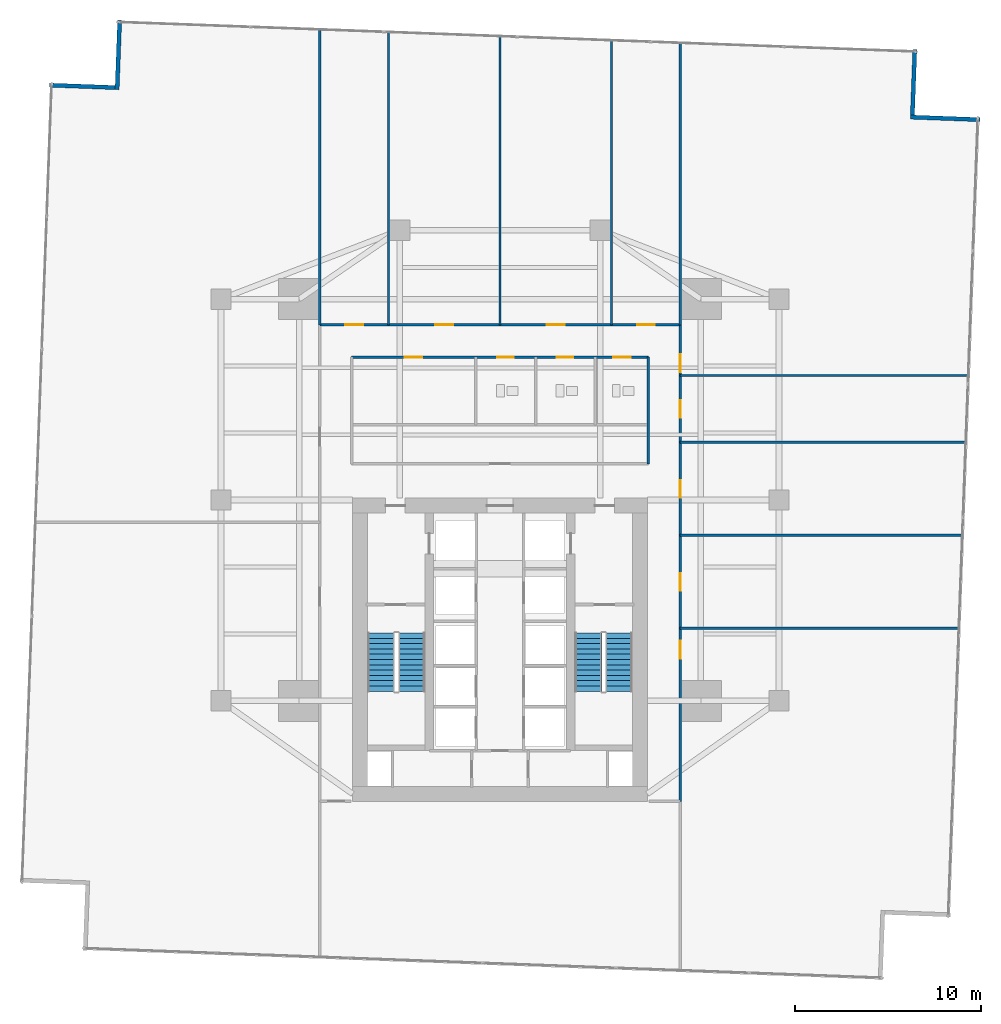
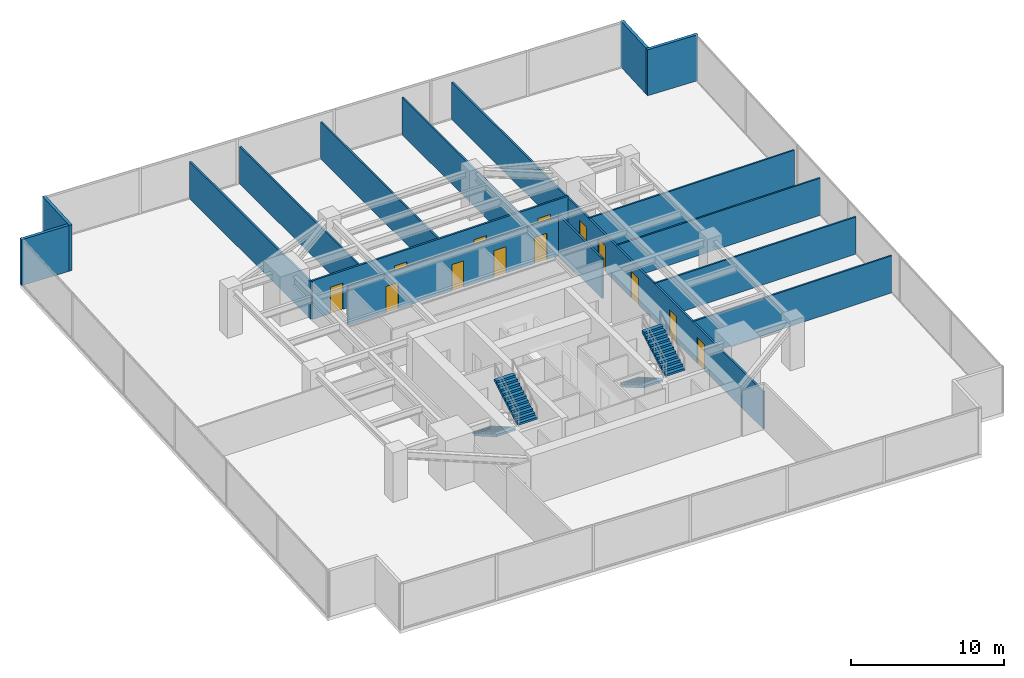
# One storey, part 28 of 30: 17 walls, 13 doors, 4 stair flights, 13 openings, 2 elements without a shape of their own.
"""IFC4 building model written with IfcOpenShell, lengths in metres."""

from ifc_helpers import new_model, si_unit, direction, frame, frame_2d, origin, place, context, subcontext, project, spatial, polyline, rectangle, outline, extrude, material, layer, layer_set, type_object, element, fill, aggregate, save


model = new_model("IFC4")

# Units and contexts
model_context = context("Model", 3, precision=1e-05, world=origin(), true_north=direction((0.0, 1.0)))
body_context = subcontext(model_context, "Body", "Model", "MODEL_VIEW")
ifc_project = project(units=[si_unit("LENGTHUNIT", "METRE"), si_unit("AREAUNIT", "SQUARE_METRE"), si_unit("VOLUMEUNIT", "CUBIC_METRE"), si_unit("PLANEANGLEUNIT", "RADIAN"), si_unit("MASSUNIT", "GRAM", prefix="KILO")], contexts=[model_context])

# Site, building, storey
site_placement = place(None, origin())
site = spatial("IfcSite", under=ifc_project, at=site_placement, CompositionType="ELEMENT")
building_placement = place(site_placement, origin())
building = spatial("IfcBuilding", under=site, at=building_placement, Name="Krantzveldt Concourse Tower", CompositionType="ELEMENT")
storey_placement = place(building_placement, frame((0.0, 0.0, 44.75)))
storey = spatial("IfcBuildingStorey", under=building, at=storey_placement, Name="L10", CompositionType="ELEMENT", Elevation=44.75)

# Walls
ifc_material_1 = material(Name="Anodised aluminium 6063-T6", Category="aluminium")
ifc_layer_1 = layer(ifc_material_1, 0.219970703125, Name="Anodised aluminium 6063-T6", Category="aluminium")
ifc_layer_set_1 = layer_set([ifc_layer_1], Name="Anodised aluminium 6063-T6 (WL-EXT-NOTCH220)")
wall_type_1 = type_object("IfcWallType", Name="WL-EXT-NOTCH220", PredefinedType="ELEMENTEDWALL", material=ifc_layer_set_1)
wall_1_placement = place(storey_placement, frame((15.307861328125, 48.87255859375, 0.0), z_axis=(0.0, 0.0, 1.0), x_axis=(-0.999313219865, 0.03705521019, 0.0)))
element("IfcWall", 1, at=wall_1_placement, inside=storey, type_object=wall_type_1, Name="EW-L10-NCH00", PredefinedType="ELEMENTEDWALL", context=body_context, shape_type="SweptSolid", body=[
    extrude(rectangle(XDim=3.52490234375, YDim=0.219970703125, at=frame_2d((1.762451171875, 0.0))), origin(), (0.0, 0.0, 1.0), 3.669921875),
])
wall_2_placement = place(storey_placement, frame((61.801025390625, 47.1474609375, 0.0), z_axis=(0.0, 0.0, 1.0), x_axis=(-0.999314208504, 0.037028538746, 0.0)))
element("IfcWall", 2, at=wall_2_placement, inside=storey, type_object=wall_type_1, Name="EW-L10-NCH08", PredefinedType="ELEMENTEDWALL", context=body_context, shape_type="SweptSolid", body=[
    extrude(rectangle(XDim=3.7451171875, YDim=0.219970703125, at=frame_2d((1.87255859375, 0.0))), origin(), (0.0, 0.0, 1.0), 3.669921875),
])
wall_3_placement = place(storey_placement, frame((58.172607421875, 47.39208984375, 0.0), z_axis=(0.0, 0.0, 1.0), x_axis=(0.03705521019, 0.999313219865, 0.0)))
element("IfcWall", 3, at=wall_3_placement, inside=storey, type_object=wall_type_1, Name="EW-L10-NCH09", PredefinedType="ELEMENTEDWALL", context=body_context, shape_type="SweptSolid", body=[
    extrude(rectangle(XDim=3.52490234375, YDim=0.219970703125, at=frame_2d((1.762451171875, 0.0))), origin(), (0.0, 0.0, 1.0), 3.669921875),
])
wall_4_placement = place(storey_placement, frame((15.552734375, 52.5009765625, 0.0), z_axis=(0.0, 0.0, 1.0), x_axis=(-0.037093640215, -0.999311794114, 0.0)))
element("IfcWall", 4, at=wall_4_placement, inside=storey, type_object=wall_type_1, Name="EW-L10-NCH11", PredefinedType="ELEMENTEDWALL", context=body_context, shape_type="SweptSolid", body=[
    extrude(rectangle(XDim=3.7451171875, YDim=0.219970703125, at=frame_2d((1.87255859375, 0.0))), origin(), (0.0, 0.0, 1.0), 3.669921875),
])
ifc_material_2 = material(Name="Fire-rated gypsum plasterboard on steel stud", Category="steel")
ifc_layer_2 = layer(ifc_material_2, 0.1201171875, Name="Fire-rated gypsum plasterboard on steel stud", Category="steel")
ifc_layer_set_2 = layer_set([ifc_layer_2], Name="Fire-rated gypsum plasterboard on steel stud (WL-PART-120)")
wall_type_2 = type_object("IfcWallType", Name="WL-PART-120", PredefinedType="PARTITIONING", material=ifc_layer_set_2)
wall_5_placement = place(storey_placement, frame((30.0, 36.1201171875, 0.0), z_axis=(0.0, 0.0, 1.0), x_axis=(0.0, 1.0, 0.0)))
element("IfcWall", 5, at=wall_5_placement, inside=storey, type_object=wall_type_2, Name="WP-L10-ND1", PredefinedType="PARTITIONING", context=body_context, shape_type="SweptSolid", body=[
    extrude(rectangle(XDim=15.729736328125, YDim=0.1201171875, at=frame_2d((7.86474609375, 0.0))), origin(), (0.0, 0.0, 1.0), 2.969970703125),
])
wall_6_placement = place(storey_placement, frame((36.0, 36.1201171875, 0.0), z_axis=(0.0, 0.0, 1.0), x_axis=(0.0, 1.0, 0.0)))
element("IfcWall", 6, at=wall_6_placement, inside=storey, type_object=wall_type_2, Name="WP-L10-ND2", PredefinedType="PARTITIONING", context=body_context, shape_type="SweptSolid", body=[
    extrude(rectangle(XDim=15.507080078125, YDim=0.1201171875, at=frame_2d((7.75341796875, 0.0))), origin(), (0.0, 0.0, 1.0), 2.969970703125),
])
wall_7_placement = place(storey_placement, frame((42.0, 36.1201171875, 0.0), z_axis=(0.0, 0.0, 1.0), x_axis=(0.0, 1.0, 0.0)))
element("IfcWall", 7, at=wall_7_placement, inside=storey, type_object=wall_type_2, Name="WP-L10-ND3", PredefinedType="PARTITIONING", context=body_context, shape_type="SweptSolid", body=[
    extrude(rectangle(XDim=15.284423828125, YDim=0.1201171875, at=frame_2d((7.64208984375, 0.0))), origin(), (0.0, 0.0, 1.0), 2.969970703125),
])
wall_8_placement = place(storey_placement, frame((45.679931640625, 19.800048828125, 0.0), z_axis=(0.0, 0.0, 1.0), x_axis=(1.0, 0.0, 0.0)))
element("IfcWall", 8, at=wall_8_placement, inside=storey, type_object=wall_type_2, Name="WP-L10-ED1", PredefinedType="PARTITIONING", context=body_context, shape_type="SweptSolid", body=[
    extrude(rectangle(XDim=14.9912109375, YDim=0.1201171875, at=frame_2d((7.49560546875, 0.0))), origin(), (0.0, 0.0, 1.0), 2.969970703125),
])
wall_9_placement = place(storey_placement, frame((45.679931640625, 24.800048828125, 0.0), z_axis=(0.0, 0.0, 1.0), x_axis=(1.0, 0.0, 0.0)))
element("IfcWall", 9, at=wall_9_placement, inside=storey, type_object=wall_type_2, Name="WP-L10-ED2", PredefinedType="PARTITIONING", context=body_context, shape_type="SweptSolid", body=[
    extrude(rectangle(XDim=15.1767578125, YDim=0.1201171875, at=frame_2d((7.58837890625, 0.0))), origin(), (0.0, 0.0, 1.0), 2.969970703125),
])
wall_10_placement = place(storey_placement, frame((45.679931640625, 29.800048828125, 0.0), z_axis=(0.0, 0.0, 1.0), x_axis=(1.0, 0.0, 0.0)))
element("IfcWall", 10, at=wall_10_placement, inside=storey, type_object=wall_type_2, Name="WP-L10-ED3", PredefinedType="PARTITIONING", context=body_context, shape_type="SweptSolid", body=[
    extrude(rectangle(XDim=15.3623046875, YDim=0.1201171875, at=frame_2d((7.68115234375, 0.0))), origin(), (0.0, 0.0, 1.0), 2.969970703125),
])
wall_11_placement = place(storey_placement, frame((45.679931640625, 33.39990234375, 0.0), z_axis=(0.0, 0.0, 1.0), x_axis=(1.0, 0.0, 0.0)))
element("IfcWall", 11, at=wall_11_placement, inside=storey, type_object=wall_type_2, Name="WP-L10-ED4", PredefinedType="PARTITIONING", context=body_context, shape_type="SweptSolid", body=[
    extrude(rectangle(XDim=15.495849609375, YDim=0.1201171875, at=frame_2d((7.748046875, 0.0))), origin(), (0.0, 0.0, 1.0), 2.969970703125),
])

# Wall, openings, doors
ifc_layer_3 = layer(ifc_material_2, 0.139892578125, Name="Fire-rated gypsum plasterboard on steel stud", Category="steel")
ifc_layer_set_3 = layer_set([ifc_layer_3], Name="Fire-rated gypsum plasterboard on steel stud (WL-PART-140)")
wall_type_3 = type_object("IfcWallType", Name="WL-PART-140", PredefinedType="PARTITIONING", material=ifc_layer_set_3)
wall_12_placement = place(storey_placement, frame((28.02001953125, 34.3798828125, 0.0), z_axis=(0.0, 0.0, 1.0), x_axis=(1.0, 0.0, 0.0)))
wall_12 = element("IfcWall", 12, at=wall_12_placement, inside=storey, type_object=wall_type_3, Name="WP-L10-ISLN", PredefinedType="PARTITIONING", context=body_context, shape_type="SweptSolid", body=[
    extrude(rectangle(XDim=15.9599609375, YDim=0.139892578125, at=frame_2d((7.97998046875, 0.0))), origin(), (0.0, 0.0, 1.0), 3.080078125),
])
opening_1_placement = place(wall_12_placement, frame((7.830078125, 0.0, 0.0)))
opening_1 = element("IfcOpeningElement", 13, at=opening_1_placement, cuts=wall_12, Name="Opening D-IN090", PredefinedType="OPENING", context=body_context, shape_type="SweptSolid", body=[
    extrude(rectangle(XDim=0.89990234375, YDim=2.10009765625, at=frame_2d((0.449951171875, 1.050048828125))), frame((0.0, 0.080078125, 0.0), z_axis=(0.0, -1.0, 0.0), x_axis=(1.0, 0.0, 0.0)), (0.0, 0.0, 1.0), 0.159912109375),
])
opening_2_placement = place(wall_12_placement, frame((11.030029296875, 0.0, 0.0)))
opening_2 = element("IfcOpeningElement", 14, at=opening_2_placement, cuts=wall_12, Name="Opening D-IN090", PredefinedType="OPENING", context=body_context, shape_type="SweptSolid", body=[
    extrude(rectangle(XDim=0.89990234375, YDim=2.10009765625, at=frame_2d((0.449951171875, 1.050048828125))), frame((0.0, 0.080078125, 0.0), z_axis=(0.0, -1.0, 0.0), x_axis=(1.0, 0.0, 0.0)), (0.0, 0.0, 1.0), 0.159912109375),
])
opening_3_placement = place(wall_12_placement, frame((14.054931640625, 0.0, 0.0)))
opening_3 = element("IfcOpeningElement", 15, at=opening_3_placement, cuts=wall_12, Name="Opening D-IN095", PredefinedType="OPENING", context=body_context, shape_type="SweptSolid", body=[
    extrude(rectangle(XDim=0.949951171875, YDim=2.10009765625, at=frame_2d((0.47509765625, 1.050048828125))), frame((0.0, 0.080078125, 0.0), z_axis=(0.0, -1.0, 0.0), x_axis=(1.0, 0.0, 0.0)), (0.0, 0.0, 1.0), 0.159912109375),
])
opening_4_placement = place(wall_12_placement, frame((2.85498046875, 0.0, 0.0)))
opening_4 = element("IfcOpeningElement", 16, at=opening_4_placement, cuts=wall_12, Name="Opening D-IN095", PredefinedType="OPENING", context=body_context, shape_type="SweptSolid", body=[
    extrude(rectangle(XDim=0.949951171875, YDim=2.10009765625, at=frame_2d((0.47509765625, 1.050048828125))), frame((0.0, 0.080078125, 0.0), z_axis=(0.0, -1.0, 0.0), x_axis=(1.0, 0.0, 0.0)), (0.0, 0.0, 1.0), 0.159912109375),
])
ifc_material_3 = material(Name="Hardwood timber", Category="wood")
door_type_1 = type_object("IfcDoorType", Name="DR-INT-900", OperationType="SINGLE_SWING_LEFT", PredefinedType="DOOR", material=ifc_material_3)
door_1_placement = place(opening_1_placement, origin())
door_1 = element("IfcDoor", 17, at=door_1_placement, inside=storey, type_object=door_type_1, Name="DR-L10-WCM", OperationType="SINGLE_SWING_LEFT", OverallHeight=2.10009765625, OverallWidth=0.89990234375, PredefinedType="DOOR", context=body_context, shape_type="SweptSolid", body=[
    extrude(rectangle(XDim=0.89990234375, YDim=2.10009765625, at=frame_2d((0.449951171875, 1.050048828125))), frame((0.0, 0.02490234375, 0.0), z_axis=(0.0, -1.0, 0.0), x_axis=(1.0, 0.0, 0.0)), (0.0, 0.0, 1.0), 0.050048828125),
])
fill(opening_1, door_1)
door_2_placement = place(opening_2_placement, origin())
door_2 = element("IfcDoor", 18, at=door_2_placement, inside=storey, type_object=door_type_1, Name="DR-L10-WCF", OperationType="SINGLE_SWING_RIGHT", OverallHeight=2.10009765625, OverallWidth=0.89990234375, PredefinedType="DOOR", context=body_context, shape_type="SweptSolid", body=[
    extrude(rectangle(XDim=0.89990234375, YDim=2.10009765625, at=frame_2d((0.449951171875, 1.050048828125))), frame((0.0, 0.02490234375, 0.0), z_axis=(0.0, -1.0, 0.0), x_axis=(1.0, 0.0, 0.0)), (0.0, 0.0, 1.0), 0.050048828125),
])
fill(opening_2, door_2)
door_type_2 = type_object("IfcDoorType", Name="DR-INT-950", OperationType="SINGLE_SWING_LEFT", PredefinedType="DOOR", material=ifc_material_3)
door_3_placement = place(opening_3_placement, origin())
door_3 = element("IfcDoor", 19, at=door_3_placement, inside=storey, type_object=door_type_2, Name="DR-L10-WCA", OperationType="SINGLE_SWING_LEFT", OverallHeight=2.10009765625, OverallWidth=0.949951171875, PredefinedType="DOOR", context=body_context, shape_type="SweptSolid", body=[
    extrude(rectangle(XDim=0.949951171875, YDim=2.10009765625, at=frame_2d((0.47509765625, 1.050048828125))), frame((0.0, 0.02490234375, 0.0), z_axis=(0.0, -1.0, 0.0), x_axis=(1.0, 0.0, 0.0)), (0.0, 0.0, 1.0), 0.050048828125),
])
fill(opening_3, door_3)
door_4_placement = place(opening_4_placement, origin())
door_4 = element("IfcDoor", 20, at=door_4_placement, inside=storey, type_object=door_type_2, Name="DR-L10-PNT", OperationType="SINGLE_SWING_RIGHT", OverallHeight=2.10009765625, OverallWidth=0.949951171875, PredefinedType="DOOR", context=body_context, shape_type="SweptSolid", body=[
    extrude(rectangle(XDim=0.949951171875, YDim=2.10009765625, at=frame_2d((0.47509765625, 1.050048828125))), frame((0.0, 0.02490234375, 0.0), z_axis=(0.0, -1.0, 0.0), x_axis=(1.0, 0.0, 0.0)), (0.0, 0.0, 1.0), 0.050048828125),
])
fill(opening_4, door_4)

# Wall
wall_13_placement = place(storey_placement, frame((43.97998046875, 28.639892578125, 0.0), z_axis=(0.0, 0.0, 1.0), x_axis=(0.0, 1.0, 0.0)))
element("IfcWall", 21, at=wall_13_placement, inside=storey, type_object=wall_type_3, Name="WP-L10-ISLE", PredefinedType="PARTITIONING", context=body_context, shape_type="SweptSolid", body=[
    extrude(rectangle(XDim=5.739990234375, YDim=0.139892578125, at=frame_2d((2.8701171875, 0.0))), origin(), (0.0, 0.0, 1.0), 3.219970703125),
])

# Wall, openings, doors
wall_14_placement = place(storey_placement, frame((26.320068359375, 36.1201171875, 0.0), z_axis=(0.0, 0.0, 1.0), x_axis=(1.0, 0.0, 0.0)))
wall_14 = element("IfcWall", 22, at=wall_14_placement, inside=storey, type_object=wall_type_3, Name="WP-L10-CTOP", PredefinedType="PARTITIONING", context=body_context, shape_type="SweptSolid", body=[
    extrude(rectangle(XDim=19.35986328125, YDim=0.139892578125, at=frame_2d((9.679931640625, 0.0))), origin(), (0.0, 0.0, 1.0), 3.080078125),
])
opening_5_placement = place(wall_14_placement, frame((1.364990234375, 0.0, 0.0)))
opening_5 = element("IfcOpeningElement", 23, at=opening_5_placement, cuts=wall_14, Name="Opening D-IN095", PredefinedType="OPENING", context=body_context, shape_type="SweptSolid", body=[
    extrude(rectangle(XDim=0.949951171875, YDim=2.10009765625, at=frame_2d((0.47509765625, 1.050048828125))), frame((0.0, 0.080078125, 0.0), z_axis=(0.0, -1.0, 0.0), x_axis=(1.0, 0.0, 0.0)), (0.0, 0.0, 1.0), 0.159912109375),
])
opening_6_placement = place(wall_14_placement, frame((6.205078125, 0.0, 0.0)))
opening_6 = element("IfcOpeningElement", 24, at=opening_6_placement, cuts=wall_14, Name="Opening D-IN095", PredefinedType="OPENING", context=body_context, shape_type="SweptSolid", body=[
    extrude(rectangle(XDim=0.949951171875, YDim=2.10009765625, at=frame_2d((0.47509765625, 1.050048828125))), frame((0.0, 0.080078125, 0.0), z_axis=(0.0, -1.0, 0.0), x_axis=(1.0, 0.0, 0.0)), (0.0, 0.0, 1.0), 0.159912109375),
])
opening_7_placement = place(wall_14_placement, frame((12.205078125, 0.0, 0.0)))
opening_7 = element("IfcOpeningElement", 25, at=opening_7_placement, cuts=wall_14, Name="Opening D-IN095", PredefinedType="OPENING", context=body_context, shape_type="SweptSolid", body=[
    extrude(rectangle(XDim=0.949951171875, YDim=2.10009765625, at=frame_2d((0.47509765625, 1.050048828125))), frame((0.0, 0.080078125, 0.0), z_axis=(0.0, -1.0, 0.0), x_axis=(1.0, 0.0, 0.0)), (0.0, 0.0, 1.0), 0.159912109375),
])
opening_8_placement = place(wall_14_placement, frame((17.044921875, 0.0, 0.0)))
opening_8 = element("IfcOpeningElement", 26, at=opening_8_placement, cuts=wall_14, Name="Opening D-IN095", PredefinedType="OPENING", context=body_context, shape_type="SweptSolid", body=[
    extrude(rectangle(XDim=0.949951171875, YDim=2.10009765625, at=frame_2d((0.47509765625, 1.050048828125))), frame((0.0, 0.080078125, 0.0), z_axis=(0.0, -1.0, 0.0), x_axis=(1.0, 0.0, 0.0)), (0.0, 0.0, 1.0), 0.159912109375),
])
door_5_placement = place(opening_5_placement, origin())
door_5 = element("IfcDoor", 27, at=door_5_placement, inside=storey, type_object=door_type_2, Name="DR-L10-NR1", OperationType="SINGLE_SWING_LEFT", OverallHeight=2.10009765625, OverallWidth=0.949951171875, PredefinedType="DOOR", context=body_context, shape_type="SweptSolid", body=[
    extrude(rectangle(XDim=0.949951171875, YDim=2.10009765625, at=frame_2d((0.47509765625, 1.050048828125))), frame((0.0, 0.02490234375, 0.0), z_axis=(0.0, -1.0, 0.0), x_axis=(1.0, 0.0, 0.0)), (0.0, 0.0, 1.0), 0.050048828125),
])
fill(opening_5, door_5)
door_6_placement = place(opening_6_placement, origin())
door_6 = element("IfcDoor", 28, at=door_6_placement, inside=storey, type_object=door_type_2, Name="DR-L10-NR2", OperationType="SINGLE_SWING_LEFT", OverallHeight=2.10009765625, OverallWidth=0.949951171875, PredefinedType="DOOR", context=body_context, shape_type="SweptSolid", body=[
    extrude(rectangle(XDim=0.949951171875, YDim=2.10009765625, at=frame_2d((0.47509765625, 1.050048828125))), frame((0.0, 0.02490234375, 0.0), z_axis=(0.0, -1.0, 0.0), x_axis=(1.0, 0.0, 0.0)), (0.0, 0.0, 1.0), 0.050048828125),
])
fill(opening_6, door_6)
door_7_placement = place(opening_7_placement, origin())
door_7 = element("IfcDoor", 29, at=door_7_placement, inside=storey, type_object=door_type_2, Name="DR-L10-NR3", OperationType="SINGLE_SWING_LEFT", OverallHeight=2.10009765625, OverallWidth=0.949951171875, PredefinedType="DOOR", context=body_context, shape_type="SweptSolid", body=[
    extrude(rectangle(XDim=0.949951171875, YDim=2.10009765625, at=frame_2d((0.47509765625, 1.050048828125))), frame((0.0, 0.02490234375, 0.0), z_axis=(0.0, -1.0, 0.0), x_axis=(1.0, 0.0, 0.0)), (0.0, 0.0, 1.0), 0.050048828125),
])
fill(opening_7, door_7)
door_8_placement = place(opening_8_placement, origin())
door_8 = element("IfcDoor", 30, at=door_8_placement, inside=storey, type_object=door_type_2, Name="DR-L10-NR4", OperationType="SINGLE_SWING_LEFT", OverallHeight=2.10009765625, OverallWidth=0.949951171875, PredefinedType="DOOR", context=body_context, shape_type="SweptSolid", body=[
    extrude(rectangle(XDim=0.949951171875, YDim=2.10009765625, at=frame_2d((0.47509765625, 1.050048828125))), frame((0.0, 0.02490234375, 0.0), z_axis=(0.0, -1.0, 0.0), x_axis=(1.0, 0.0, 0.0)), (0.0, 0.0, 1.0), 0.050048828125),
])
fill(opening_8, door_8)

wall_15_placement = place(storey_placement, frame((45.679931640625, 10.5, 0.0), z_axis=(0.0, 0.0, 1.0), x_axis=(0.0, 1.0, 0.0)))
wall_15 = element("IfcWall", 31, at=wall_15_placement, inside=storey, type_object=wall_type_3, Name="WP-L10-CEAST", PredefinedType="PARTITIONING", context=body_context, shape_type="SweptSolid", body=[
    extrude(rectangle(XDim=25.6201171875, YDim=0.139892578125, at=frame_2d((12.81005859375, 0.0))), origin(), (0.0, 0.0, 1.0), 2.969970703125),
])
opening_9_placement = place(wall_15_placement, frame((7.675048828125, 0.0, 0.0)))
opening_9 = element("IfcOpeningElement", 32, at=opening_9_placement, cuts=wall_15, Name="Opening D-IN095", PredefinedType="OPENING", context=body_context, shape_type="SweptSolid", body=[
    extrude(rectangle(XDim=0.949951171875, YDim=2.10009765625, at=frame_2d((0.47509765625, 1.050048828125))), frame((0.0, 0.080078125, 0.0), z_axis=(0.0, -1.0, 0.0), x_axis=(1.0, 0.0, 0.0)), (0.0, 0.0, 1.0), 0.159912109375),
])
opening_10_placement = place(wall_15_placement, frame((11.324951171875, 0.0, 0.0)))
opening_10 = element("IfcOpeningElement", 33, at=opening_10_placement, cuts=wall_15, Name="Opening D-IN095", PredefinedType="OPENING", context=body_context, shape_type="SweptSolid", body=[
    extrude(rectangle(XDim=0.949951171875, YDim=2.10009765625, at=frame_2d((0.47509765625, 1.050048828125))), frame((0.0, 0.080078125, 0.0), z_axis=(0.0, -1.0, 0.0), x_axis=(1.0, 0.0, 0.0)), (0.0, 0.0, 1.0), 0.159912109375),
])
opening_11_placement = place(wall_15_placement, frame((16.324951171875, 0.0, 0.0)))
opening_11 = element("IfcOpeningElement", 34, at=opening_11_placement, cuts=wall_15, Name="Opening D-IN095", PredefinedType="OPENING", context=body_context, shape_type="SweptSolid", body=[
    extrude(rectangle(XDim=0.949951171875, YDim=2.10009765625, at=frame_2d((0.47509765625, 1.050048828125))), frame((0.0, 0.080078125, 0.0), z_axis=(0.0, -1.0, 0.0), x_axis=(1.0, 0.0, 0.0)), (0.0, 0.0, 1.0), 0.159912109375),
])
opening_12_placement = place(wall_15_placement, frame((20.625, 0.0, 0.0)))
opening_12 = element("IfcOpeningElement", 35, at=opening_12_placement, cuts=wall_15, Name="Opening D-IN095", PredefinedType="OPENING", context=body_context, shape_type="SweptSolid", body=[
    extrude(rectangle(XDim=0.949951171875, YDim=2.10009765625, at=frame_2d((0.47509765625, 1.050048828125))), frame((0.0, 0.080078125, 0.0), z_axis=(0.0, -1.0, 0.0), x_axis=(1.0, 0.0, 0.0)), (0.0, 0.0, 1.0), 0.159912109375),
])
opening_13_placement = place(wall_15_placement, frame((23.074951171875, 0.0, 0.0)))
opening_13 = element("IfcOpeningElement", 36, at=opening_13_placement, cuts=wall_15, Name="Opening D-IN095", PredefinedType="OPENING", context=body_context, shape_type="SweptSolid", body=[
    extrude(rectangle(XDim=0.949951171875, YDim=2.10009765625, at=frame_2d((0.47509765625, 1.050048828125))), frame((0.0, 0.080078125, 0.0), z_axis=(0.0, -1.0, 0.0), x_axis=(1.0, 0.0, 0.0)), (0.0, 0.0, 1.0), 0.159912109375),
])
door_9_placement = place(opening_9_placement, origin())
door_9 = element("IfcDoor", 37, at=door_9_placement, inside=storey, type_object=door_type_2, Name="DR-L10-ER1", OperationType="SINGLE_SWING_LEFT", OverallHeight=2.10009765625, OverallWidth=0.949951171875, PredefinedType="DOOR", context=body_context, shape_type="SweptSolid", body=[
    extrude(rectangle(XDim=0.949951171875, YDim=2.10009765625, at=frame_2d((0.47509765625, 1.050048828125))), frame((0.0, 0.02490234375, 0.0), z_axis=(0.0, -1.0, 0.0), x_axis=(1.0, 0.0, 0.0)), (0.0, 0.0, 1.0), 0.050048828125),
])
fill(opening_9, door_9)
door_10_placement = place(opening_10_placement, origin())
door_10 = element("IfcDoor", 38, at=door_10_placement, inside=storey, type_object=door_type_2, Name="DR-L10-ER2", OperationType="SINGLE_SWING_LEFT", OverallHeight=2.10009765625, OverallWidth=0.949951171875, PredefinedType="DOOR", context=body_context, shape_type="SweptSolid", body=[
    extrude(rectangle(XDim=0.949951171875, YDim=2.10009765625, at=frame_2d((0.47509765625, 1.050048828125))), frame((0.0, 0.02490234375, 0.0), z_axis=(0.0, -1.0, 0.0), x_axis=(1.0, 0.0, 0.0)), (0.0, 0.0, 1.0), 0.050048828125),
])
fill(opening_10, door_10)
door_11_placement = place(opening_11_placement, origin())
door_11 = element("IfcDoor", 39, at=door_11_placement, inside=storey, type_object=door_type_2, Name="DR-L10-ER3", OperationType="SINGLE_SWING_LEFT", OverallHeight=2.10009765625, OverallWidth=0.949951171875, PredefinedType="DOOR", context=body_context, shape_type="SweptSolid", body=[
    extrude(rectangle(XDim=0.949951171875, YDim=2.10009765625, at=frame_2d((0.47509765625, 1.050048828125))), frame((0.0, 0.02490234375, 0.0), z_axis=(0.0, -1.0, 0.0), x_axis=(1.0, 0.0, 0.0)), (0.0, 0.0, 1.0), 0.050048828125),
])
fill(opening_11, door_11)
door_12_placement = place(opening_12_placement, origin())
door_12 = element("IfcDoor", 40, at=door_12_placement, inside=storey, type_object=door_type_2, Name="DR-L10-ER4", OperationType="SINGLE_SWING_LEFT", OverallHeight=2.10009765625, OverallWidth=0.949951171875, PredefinedType="DOOR", context=body_context, shape_type="SweptSolid", body=[
    extrude(rectangle(XDim=0.949951171875, YDim=2.10009765625, at=frame_2d((0.47509765625, 1.050048828125))), frame((0.0, 0.02490234375, 0.0), z_axis=(0.0, -1.0, 0.0), x_axis=(1.0, 0.0, 0.0)), (0.0, 0.0, 1.0), 0.050048828125),
])
fill(opening_12, door_12)
door_13_placement = place(opening_13_placement, origin())
door_13 = element("IfcDoor", 41, at=door_13_placement, inside=storey, type_object=door_type_2, Name="DR-L10-ER5", OperationType="SINGLE_SWING_LEFT", OverallHeight=2.10009765625, OverallWidth=0.949951171875, PredefinedType="DOOR", context=body_context, shape_type="SweptSolid", body=[
    extrude(rectangle(XDim=0.949951171875, YDim=2.10009765625, at=frame_2d((0.47509765625, 1.050048828125))), frame((0.0, 0.02490234375, 0.0), z_axis=(0.0, -1.0, 0.0), x_axis=(1.0, 0.0, 0.0)), (0.0, 0.0, 1.0), 0.050048828125),
])
fill(opening_13, door_13)

# Walls
wall_16_placement = place(storey_placement, frame((26.320068359375, 36.1201171875, 0.0), z_axis=(0.0, 0.0, 1.0), x_axis=(0.0, 1.0, 0.0)))
element("IfcWall", 42, at=wall_16_placement, inside=storey, type_object=wall_type_3, Name="WP-L10-NWL", PredefinedType="PARTITIONING", context=body_context, shape_type="SweptSolid", body=[
    extrude(rectangle(XDim=15.8662109375, YDim=0.139892578125, at=frame_2d((7.93310546875, 0.0))), origin(), (0.0, 0.0, 1.0), 2.969970703125),
])
wall_17_placement = place(storey_placement, frame((45.679931640625, 36.1201171875, 0.0), z_axis=(0.0, 0.0, 1.0), x_axis=(0.0, 1.0, 0.0)))
element("IfcWall", 43, at=wall_17_placement, inside=storey, type_object=wall_type_3, Name="WP-L10-NER", PredefinedType="PARTITIONING", context=body_context, shape_type="SweptSolid", body=[
    extrude(rectangle(XDim=15.14794921875, YDim=0.139892578125, at=frame_2d((7.573974609375, 0.0))), origin(), (0.0, 0.0, 1.0), 2.969970703125),
])

# Stair, stair flights
ifc_material_4 = material(Name="Precast concrete C40/50", Category="concrete")
stair_type = type_object("IfcStairType", Name="STR-CORE-DOGLEG", PredefinedType="HALF_TURN_STAIR", material=ifc_material_4)
stair_1_placement = place(storey_placement, origin())
stair_1 = element("IfcStair", 44, at=stair_1_placement, inside=storey, type_object=stair_type, Name="L10 Protected Escape Stair ST-1", PredefinedType="HALF_TURN_STAIR")
stair_flight_type = type_object("IfcStairFlightType", Name="STF-CORE-1450", PredefinedType="STRAIGHT", material=ifc_material_4)
stair_flight_1_placement = place(storey_placement, frame((29.60498046875, 19.550048828125, 0.0), z_axis=(0.0, 0.0, 1.0), x_axis=(0.0, -1.0, 0.0)))
stair_flight_1 = element("IfcStairFlight", 45, at=stair_flight_1_placement, type_object=stair_flight_type, Name="ST-1 flight 1", NumberOfRisers=12, NumberOfTreads=11, PredefinedType="STRAIGHT", RiserHeight=0.164583333, TreadLength=0.285, context=body_context, shape_type="SweptSolid", body=[
    extrude(outline(polyline([(0.0, 0.0), (0.0, 0.16455078125), (0.284912109375, 0.16455078125), (0.284912109375, 0.3291015625), (0.570068359375, 0.3291015625), (0.570068359375, 0.49365234375), (0.85498046875, 0.49365234375), (0.85498046875, 0.658447265625), (1.139892578125, 0.658447265625), (1.139892578125, 0.822998046875), (1.425048828125, 0.822998046875), (1.425048828125, 0.987548828125), (1.7099609375, 0.987548828125), (1.7099609375, 1.152099609375), (1.9951171875, 1.152099609375), (1.9951171875, 1.316650390625), (2.280029296875, 1.316650390625), (2.280029296875, 1.481201171875), (2.56494140625, 1.481201171875), (2.56494140625, 1.645751953125), (2.85009765625, 1.645751953125), (2.85009765625, 1.810302734375), (3.135009765625, 1.810302734375), (3.135009765625, 1.97509765625), (3.135009765625, 1.63720703125), (0.2998046875, 0.0), (0.0, 0.0)])), frame((0.0, 0.72509765625, 0.0), z_axis=(0.0, -1.0, 0.0), x_axis=(1.0, 0.0, 0.0)), (0.0, 0.0, 1.0), 1.449951171875),
])
stair_flight_2_placement = place(storey_placement, frame((31.2548828125, 16.4150390625, 1.97509765625), z_axis=(0.0, 0.0, 1.0), x_axis=(0.0, 1.0, 0.0)))
stair_flight_2 = element("IfcStairFlight", 46, at=stair_flight_2_placement, type_object=stair_flight_type, Name="ST-1 flight 2", NumberOfRisers=12, NumberOfTreads=11, PredefinedType="STRAIGHT", RiserHeight=0.164583333, TreadLength=0.285, context=body_context, shape_type="SweptSolid", body=[
    extrude(outline(polyline([(0.0, 0.0), (0.0, 0.16455078125), (0.284912109375, 0.16455078125), (0.284912109375, 0.3291015625), (0.570068359375, 0.3291015625), (0.570068359375, 0.49365234375), (0.85498046875, 0.49365234375), (0.85498046875, 0.658447265625), (1.139892578125, 0.658447265625), (1.139892578125, 0.822998046875), (1.425048828125, 0.822998046875), (1.425048828125, 0.987548828125), (1.7099609375, 0.987548828125), (1.7099609375, 1.152099609375), (1.9951171875, 1.152099609375), (1.9951171875, 1.316650390625), (2.280029296875, 1.316650390625), (2.280029296875, 1.481201171875), (2.56494140625, 1.481201171875), (2.56494140625, 1.645751953125), (2.85009765625, 1.645751953125), (2.85009765625, 1.810302734375), (3.135009765625, 1.810302734375), (3.135009765625, 1.97509765625), (3.135009765625, 1.63720703125), (0.2998046875, 0.0), (0.0, 0.0)])), frame((0.0, 0.72509765625, 0.0), z_axis=(0.0, -1.0, 0.0), x_axis=(1.0, 0.0, 0.0)), (0.0, 0.0, 1.0), 1.449951171875),
])
aggregate(stair_1, [stair_flight_1, stair_flight_2])

stair_2_placement = place(storey_placement, origin())
stair_2 = element("IfcStair", 47, at=stair_2_placement, inside=storey, type_object=stair_type, Name="L10 Protected Escape Stair ST-2", PredefinedType="HALF_TURN_STAIR")
stair_flight_3_placement = place(storey_placement, frame((40.7451171875, 19.550048828125, 0.0), z_axis=(0.0, 0.0, 1.0), x_axis=(0.0, -1.0, 0.0)))
stair_flight_3 = element("IfcStairFlight", 48, at=stair_flight_3_placement, type_object=stair_flight_type, Name="ST-2 flight 1", NumberOfRisers=12, NumberOfTreads=11, PredefinedType="STRAIGHT", RiserHeight=0.164583333, TreadLength=0.285, context=body_context, shape_type="SweptSolid", body=[
    extrude(outline(polyline([(0.0, 0.0), (0.0, 0.16455078125), (0.284912109375, 0.16455078125), (0.284912109375, 0.3291015625), (0.570068359375, 0.3291015625), (0.570068359375, 0.49365234375), (0.85498046875, 0.49365234375), (0.85498046875, 0.658447265625), (1.139892578125, 0.658447265625), (1.139892578125, 0.822998046875), (1.425048828125, 0.822998046875), (1.425048828125, 0.987548828125), (1.7099609375, 0.987548828125), (1.7099609375, 1.152099609375), (1.9951171875, 1.152099609375), (1.9951171875, 1.316650390625), (2.280029296875, 1.316650390625), (2.280029296875, 1.481201171875), (2.56494140625, 1.481201171875), (2.56494140625, 1.645751953125), (2.85009765625, 1.645751953125), (2.85009765625, 1.810302734375), (3.135009765625, 1.810302734375), (3.135009765625, 1.97509765625), (3.135009765625, 1.63720703125), (0.2998046875, 0.0), (0.0, 0.0)])), frame((0.0, 0.72509765625, 0.0), z_axis=(0.0, -1.0, 0.0), x_axis=(1.0, 0.0, 0.0)), (0.0, 0.0, 1.0), 1.449951171875),
])
stair_flight_4_placement = place(storey_placement, frame((42.39501953125, 16.4150390625, 1.97509765625), z_axis=(0.0, 0.0, 1.0), x_axis=(0.0, 1.0, 0.0)))
stair_flight_4 = element("IfcStairFlight", 49, at=stair_flight_4_placement, type_object=stair_flight_type, Name="ST-2 flight 2", NumberOfRisers=12, NumberOfTreads=11, PredefinedType="STRAIGHT", RiserHeight=0.164583333, TreadLength=0.285, context=body_context, shape_type="SweptSolid", body=[
    extrude(outline(polyline([(0.0, 0.0), (0.0, 0.16455078125), (0.284912109375, 0.16455078125), (0.284912109375, 0.3291015625), (0.570068359375, 0.3291015625), (0.570068359375, 0.49365234375), (0.85498046875, 0.49365234375), (0.85498046875, 0.658447265625), (1.139892578125, 0.658447265625), (1.139892578125, 0.822998046875), (1.425048828125, 0.822998046875), (1.425048828125, 0.987548828125), (1.7099609375, 0.987548828125), (1.7099609375, 1.152099609375), (1.9951171875, 1.152099609375), (1.9951171875, 1.316650390625), (2.280029296875, 1.316650390625), (2.280029296875, 1.481201171875), (2.56494140625, 1.481201171875), (2.56494140625, 1.645751953125), (2.85009765625, 1.645751953125), (2.85009765625, 1.810302734375), (3.135009765625, 1.810302734375), (3.135009765625, 1.97509765625), (3.135009765625, 1.63720703125), (0.2998046875, 0.0), (0.0, 0.0)])), frame((0.0, 0.72509765625, 0.0), z_axis=(0.0, -1.0, 0.0), x_axis=(1.0, 0.0, 0.0)), (0.0, 0.0, 1.0), 1.449951171875),
])
aggregate(stair_2, [stair_flight_3, stair_flight_4])

save(model, "model.ifc")
